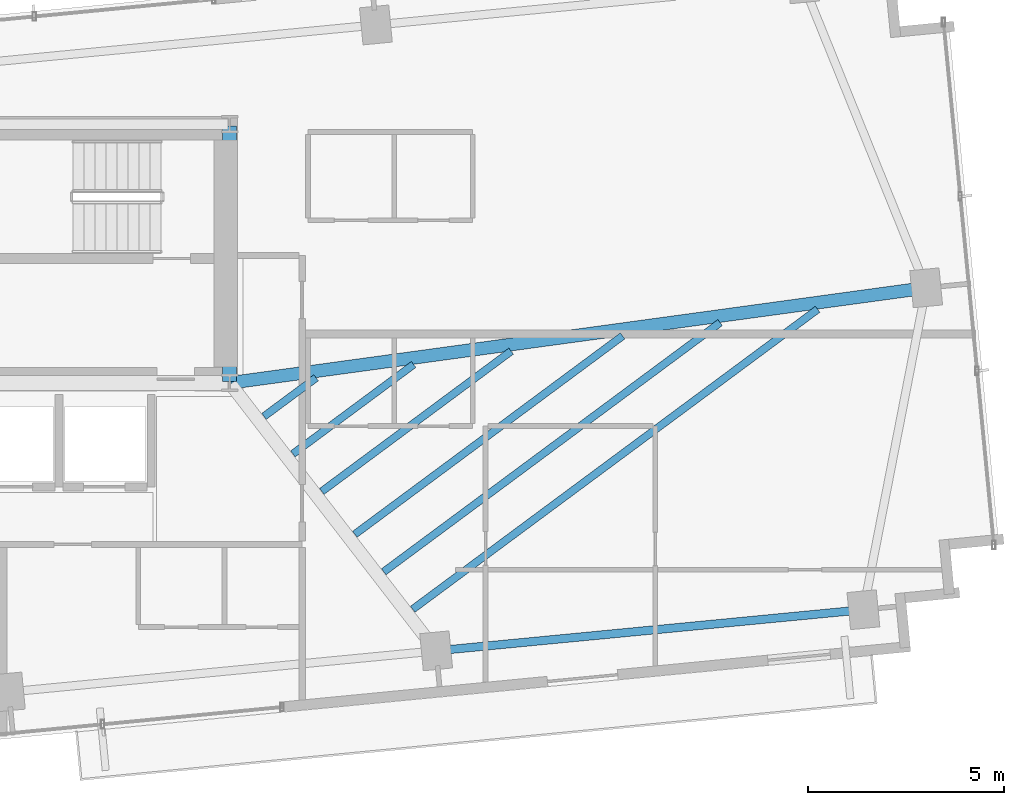
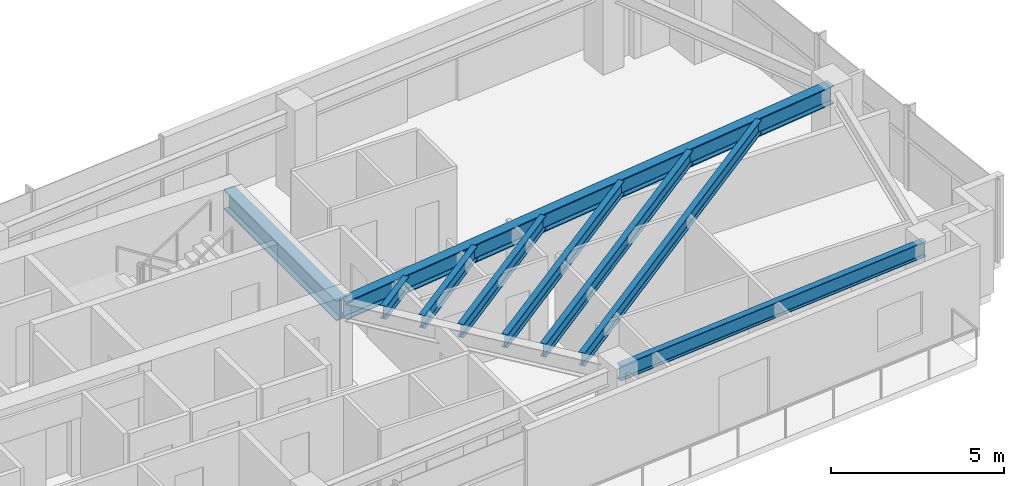
# One storey, part 9 of 18: 9 beams.
"""IFC4 building model written with IfcOpenShell, lengths in metres."""

import ifcopenshell
import ifcopenshell.guid

model = None  # the IFC model being written
_history = None  # IfcOwnerHistory: only IFC2X3 demands one
_inside = {}  # id of a spatial element -> (the spatial element, [elements in it])
_under = {}  # id of a project, library or spatial element -> (it, [spatial elements below it])
_declared = {}  # id of a project -> (the project, [libraries it declares])
_typed = {}  # id of a type object -> (the type object, [elements of that type])
_made_of = {}  # id of a material, layer set ... -> (it, [elements and type objects made of it])


def new_model(schema):
    """Start an empty IFC model of exactly this schema.

    Asked for "IFC4X3", IfcOpenShell would pick the latest addendum, in which some entities
    have other attributes; the version numbers below select the first issue.
    IFC2X3 requires an IfcOwnerHistory on every rooted entity: one is made here for all.
    """
    global model, _history
    if schema == "IFC4X3":
        model = ifcopenshell.file(schema_version=(4, 3, 0, 0))
    else:
        model = ifcopenshell.file(schema=schema)
    _inside.clear()
    _under.clear()
    _declared.clear()
    _typed.clear()
    _made_of.clear()
    _history = None
    if model.schema == "IFC2X3":
        org = make("IfcOrganization", Name="unknown")
        user = make(
            "IfcPersonAndOrganization",
            ThePerson=make("IfcPerson", FamilyName="unknown"),
            TheOrganization=org,
        )
        app = make(
            "IfcApplication",
            ApplicationDeveloper=org,
            Version="unknown",
            ApplicationFullName="unknown",
            ApplicationIdentifier="unknown",
        )
        _history = make(
            "IfcOwnerHistory",
            OwningUser=user,
            OwningApplication=app,
            ChangeAction="ADDED",
            CreationDate=0,
        )
    return model


def make(cls, **values):
    """One entity of the class cls with the attributes given. An attribute that is None is left unset."""
    return model.create_entity(
        cls, **{name: value for name, value in values.items() if value is not None}
    )


def rooted(cls, **values):
    """An entity with a GlobalId (a new one), such as an element, a storey or a relation."""
    return make(cls, GlobalId=ifcopenshell.guid.new(), OwnerHistory=_history, **values)


def si_unit(unit_type, name, prefix=None):
    """IfcSIUnit, for example si_unit("LENGTHUNIT", "METRE", prefix="MILLI")."""
    return make("IfcSIUnit", UnitType=unit_type, Prefix=prefix, Name=name)


def assignment(units):
    """IfcUnitAssignment: the units of a project."""
    return None if units is None else make("IfcUnitAssignment", Units=units)


def point(xyz):
    """IfcCartesianPoint."""
    return None if xyz is None else make("IfcCartesianPoint", Coordinates=xyz)


def direction(xyz):
    """IfcDirection."""
    return None if xyz is None else make("IfcDirection", DirectionRatios=xyz)


def frame(location, z_axis=None, x_axis=None):
    """IfcAxis2Placement3D, a coordinate frame: its origin and axes. An axis left out is left unset."""
    return make(
        "IfcAxis2Placement3D",
        Location=point(location),
        Axis=direction(z_axis),
        RefDirection=direction(x_axis),
    )


def frame_2d(location, x_axis=None):
    """IfcAxis2Placement2D, a coordinate frame in the plane: its origin and x axis."""
    return make(
        "IfcAxis2Placement2D", Location=point(location), RefDirection=direction(x_axis)
    )


def origin():
    """The frame at (0, 0, 0) with its axes left unset."""
    return frame((0.0, 0.0, 0.0))


def origin_2d():
    """The frame at (0, 0) in the plane with its x axis left unset."""
    return frame_2d((0.0, 0.0))


def place(relative_to, where):
    """IfcLocalPlacement: puts the frame where relative to a parent placement (None: the world)."""
    return make(
        "IfcLocalPlacement", PlacementRelTo=relative_to, RelativePlacement=where
    )


def context(
    kind, dimensions, precision=None, world=None, true_north=None, identifier=None
):
    """IfcGeometricRepresentationContext, for example the 3D "Model" context."""
    return make(
        "IfcGeometricRepresentationContext",
        ContextIdentifier=identifier,
        ContextType=kind,
        CoordinateSpaceDimension=dimensions,
        Precision=precision,
        WorldCoordinateSystem=world,
        TrueNorth=true_north,
    )


def subcontext(parent, identifier, kind, view, scale=None):
    """IfcGeometricRepresentationSubContext, for example "Body" below "Model"."""
    return make(
        "IfcGeometricRepresentationSubContext",
        ContextIdentifier=identifier,
        ContextType=kind,
        ParentContext=parent,
        TargetScale=scale,
        TargetView=view,
    )


def project(units=None, contexts=None):
    """IfcProject with its units and contexts."""
    return rooted(
        "IfcProject",
        Name="project",
        RepresentationContexts=contexts,
        UnitsInContext=assignment(units),
    )


def spatial(cls, under=None, at=None, **own):
    """A site, building, storey or space (cls), placed at a placement, below another one or the project."""
    s = rooted(cls, ObjectPlacement=at, **own)
    if under is not None:
        _under.setdefault(under.id(), (under, []))[1].append(s)
    return s


def profile(cls, at=None, kind="AREA", **sizes):
    """A parametric profile (cls). Its sizes go by their IFC names, for example OverallWidth=200.0."""
    return make(cls, ProfileType=kind, Position=at, **sizes)


def i_section(**sizes):
    """IfcIShapeProfileDef."""
    return profile("IfcIShapeProfileDef", **sizes)


def extrude(swept, where, along, depth):
    """IfcExtrudedAreaSolid: the profile swept, set in the frame where, extruded along a direction by depth."""
    return make(
        "IfcExtrudedAreaSolid",
        SweptArea=swept,
        Position=where,
        ExtrudedDirection=direction(along),
        Depth=depth,
    )


def shape(context_of_items, identifier, shape_type, items):
    """IfcShapeRepresentation: the items that make up one representation, for example the "Body"."""
    return make(
        "IfcShapeRepresentation",
        ContextOfItems=context_of_items,
        RepresentationIdentifier=identifier,
        RepresentationType=shape_type,
        Items=items,
    )


def source(mapping_origin, context_of_items, identifier, shape_type, items):
    """IfcRepresentationMap: a shape defined once, which mapped items show again and again."""
    return make(
        "IfcRepresentationMap",
        MappingOrigin=mapping_origin,
        MappedRepresentation=shape(context_of_items, identifier, shape_type, items),
    )


def transform(
    local_origin,
    x_axis=None,
    y_axis=None,
    z_axis=None,
    scale=None,
    scale2=None,
    scale3=None,
    uniform=True,
):
    """IfcCartesianTransformationOperator3D, or its non-uniform kind. x_axis, y_axis, z_axis: its Axis1, 2, 3."""
    if uniform:
        return make(
            "IfcCartesianTransformationOperator3D",
            Axis1=direction(x_axis),
            Axis2=direction(y_axis),
            LocalOrigin=point(local_origin),
            Scale=scale,
            Axis3=direction(z_axis),
        )
    return make(
        "IfcCartesianTransformationOperator3DnonUniform",
        Axis1=direction(x_axis),
        Axis2=direction(y_axis),
        LocalOrigin=point(local_origin),
        Scale=scale,
        Axis3=direction(z_axis),
        Scale2=scale2,
        Scale3=scale3,
    )


def mapped(mapping_source, mapping_target):
    """IfcMappedItem: shows the shape of a source again, moved by a transform."""
    return make(
        "IfcMappedItem", MappingSource=mapping_source, MappingTarget=mapping_target
    )


def material(Name=None, Category=None):
    """IfcMaterial."""
    return make("IfcMaterial", Name=Name, Category=Category)


def material_profile(
    of_material, cross_section, Name=None, Category=None, Priority=None
):
    """IfcMaterialProfile: a cross section and its material."""
    return make(
        "IfcMaterialProfile",
        Name=Name,
        Material=of_material,
        Profile=cross_section,
        Priority=Priority,
        Category=Category,
    )


def profile_set(profiles, Name=None, composite=None):
    """IfcMaterialProfileSet."""
    return make(
        "IfcMaterialProfileSet",
        Name=Name,
        MaterialProfiles=profiles,
        CompositeProfile=composite,
    )


def made_of(thing, what):
    """Note that an element or type object is made of a material, layer set ...; save() writes the relation."""
    if what is not None:
        _made_of.setdefault(what.id(), (what, []))[1].append(thing)
    return thing


def type_object(cls, material=None, **own):
    """A type object (cls), such as IfcWallType, which elements share."""
    return made_of(rooted(cls, **own), material)


def type_shapes(of_type, sources):
    """Give a type object the sources (RepresentationMaps) that its elements show as mapped items."""
    of_type.RepresentationMaps = sources


def element(
    cls,
    number,
    at=None,
    inside=None,
    cuts=None,
    type_object=None,
    material=None,
    context=None,
    identifier="Body",
    shape_type=None,
    held_by="IfcProductDefinitionShape",
    body=None,
    shapes=None,
    **own,
):
    """One element of the class cls, such as IfcWall. Its Tag is "e" and its number.

    at: its placement. inside: the storey or other place that contains it. cuts: it is an
    opening in that element (IfcRelVoidsElement). A single representation is given by context,
    identifier, shape_type and body (its items); several are given by shapes. held_by: the class
    of the entity that holds the representations. save() writes the other relations.
    """
    e = rooted(cls, Tag="e%d" % number, ObjectPlacement=at, **own)
    if body is not None:
        shapes = [shape(context, identifier, shape_type, body)]
    if shapes is not None:
        e.Representation = make(held_by, Representations=shapes)
    if inside is not None:
        _inside.setdefault(inside.id(), (inside, []))[1].append(e)
    if cuts is not None:
        rooted(
            "IfcRelVoidsElement", RelatingBuildingElement=cuts, RelatedOpeningElement=e
        )
    if type_object is not None:
        _typed.setdefault(type_object.id(), (type_object, []))[1].append(e)
    return made_of(e, material)


def aggregate(whole, parts):
    """IfcRelAggregates: a whole, such as a stair, and the parts it consists of."""
    return rooted("IfcRelAggregates", RelatingObject=whole, RelatedObjects=parts)


def save(model, path):
    """Write the relations noted so far, then the file.

    IfcRelAggregates (storeys below a building ...), IfcRelContainedInSpatialStructure (elements
    in a storey), IfcRelDefinesByType, IfcRelAssociatesMaterial and IfcRelDeclares: one each for
    every whole, place, type object, material and project.
    """
    for whole, parts in _under.values():
        aggregate(whole, parts)
    for where, things in _inside.values():
        rooted(
            "IfcRelContainedInSpatialStructure",
            RelatedElements=things,
            RelatingStructure=where,
        )
    for kind, things in _typed.values():
        rooted("IfcRelDefinesByType", RelatedObjects=things, RelatingType=kind)
    for what, things in _made_of.values():
        rooted("IfcRelAssociatesMaterial", RelatedObjects=things, RelatingMaterial=what)
    for by, libraries in _declared.values():
        rooted("IfcRelDeclares", RelatingContext=by, RelatedDefinitions=libraries)
    model.write(path)


model = new_model("IFC4")

# Units and contexts
model_context = context("Model", 3, precision=1e-05, world=origin(), true_north=direction((0.0, 1.0)))
body_context = subcontext(model_context, "Body", "Model", "MODEL_VIEW")
ifc_project = project(units=[si_unit("LENGTHUNIT", "METRE"), si_unit("AREAUNIT", "SQUARE_METRE"), si_unit("VOLUMEUNIT", "CUBIC_METRE"), si_unit("PLANEANGLEUNIT", "RADIAN"), si_unit("MASSUNIT", "GRAM", prefix="KILO")], contexts=[model_context])

# Site, building, storey
site_placement = place(None, origin())
site = spatial("IfcSite", under=ifc_project, at=site_placement, CompositionType="ELEMENT")
building_placement = place(site_placement, origin())
building = spatial("IfcBuilding", under=site, at=building_placement, Name="Astriad Promenade Condominiums", CompositionType="ELEMENT")
storey_placement = place(building_placement, frame((0.0, 0.0, 205.0)))
storey = spatial("IfcBuildingStorey", under=building, at=storey_placement, Name="L59", CompositionType="ELEMENT", Elevation=205.0)

# Beams
ifc_material = material(Name="Steel ASTM A992 Grade 50", Category="steel")
ifc_material_profile_1 = material_profile(ifc_material, i_section(OverallWidth=0.35791015625, OverallDepth=0.706298828125, WebThickness=0.018310546875, FlangeThickness=0.0302734375, FilletRadius=0.020263671875, at=origin_2d()), Name="W27X178")
ifc_profile_set_1 = profile_set([ifc_material_profile_1], Name="Steel ASTM A992 Grade 50")
beam_type_1 = type_object("IfcBeamType", Name="STEEL FLOOR GIRDER W27X178", PredefinedType="BEAM", material=ifc_profile_set_1)
shared_shape_1 = source(origin(), body_context, "Body", "SweptSolid", [
    extrude(i_section(OverallWidth=0.35791015625, OverallDepth=0.706298828125, WebThickness=0.018310546875, FlangeThickness=0.0302734375, FilletRadius=0.020263671875, at=origin_2d()), origin(), (0.0, 0.0, 1.0), 6.52001953125),
])
type_shapes(beam_type_1, [shared_shape_1])
beam_1_placement = place(storey_placement, frame((45.60009765625, 17.43994140625, 2.5869140625), z_axis=(0.0, 1.0, 0.0), x_axis=(-1.0, 0.0, 0.0)))
element("IfcBeam", 1, at=beam_1_placement, inside=storey, type_object=beam_type_1, Name="Core Ring Beam CG-E1-L59", PredefinedType="BEAM", context=body_context, shape_type="MappedRepresentation", body=[
    mapped(shared_shape_1, transform((0.0, 0.0, 0.0), scale=1.0)),
])
ifc_material_profile_2 = material_profile(ifc_material, i_section(OverallWidth=0.210693359375, OverallDepth=0.53955078125, WebThickness=0.01171875, FlangeThickness=0.018798828125, FilletRadius=0.0166015625, at=origin_2d()), Name="W21X73")
ifc_profile_set_2 = profile_set([ifc_material_profile_2], Name="Steel ASTM A992 Grade 50")
beam_type_2 = type_object("IfcBeamType", Name="STEEL SPANDREL BEAM W21X73", PredefinedType="SPANDREL", material=ifc_profile_set_2)
shared_shape_2 = source(origin(), body_context, "Body", "SweptSolid", [
    extrude(i_section(OverallWidth=0.210693359375, OverallDepth=0.53955078125, WebThickness=0.01171875, FlangeThickness=0.018798828125, FilletRadius=0.0166015625, at=origin_2d()), origin(), (0.0, 0.0, 1.0), 10.869873046875),
])
type_shapes(beam_type_2, [shared_shape_2])
beam_2_placement = place(storey_placement, frame((50.908203125, 10.5703125, 2.67041015625), z_axis=(0.995396922692, 0.095838229819, 0.0), x_axis=(-0.095838229819, 0.995396922692, 0.0)))
element("IfcBeam", 2, at=beam_2_placement, inside=storey, type_object=beam_type_2, Name="Perimeter Spandrel Beam SP-S4-L59", PredefinedType="SPANDREL", context=body_context, shape_type="MappedRepresentation", body=[
    mapped(shared_shape_2, transform((0.0, 0.0, 0.0), scale=1.0)),
])
ifc_material_profile_3 = material_profile(ifc_material, i_section(OverallWidth=0.327392578125, OverallDepth=0.640625, WebThickness=0.01904296875, FlangeThickness=0.033935546875, FilletRadius=0.017822265625, at=origin_2d()), Name="W24X176")
ifc_profile_set_3 = profile_set([ifc_material_profile_3], Name="Steel ASTM A992 Grade 50")
beam_type_3 = type_object("IfcBeamType", Name="STEEL FLOOR GIRDER W24X176", PredefinedType="BEAM", material=ifc_profile_set_3)
shared_shape_3 = source(origin(), body_context, "Body", "SweptSolid", [
    extrude(i_section(OverallWidth=0.327392578125, OverallDepth=0.640625, WebThickness=0.01904296875, FlangeThickness=0.033935546875, FilletRadius=0.017822265625, at=origin_2d()), origin(), (0.0, 0.0, 1.0), 17.853271484375),
])
type_shapes(beam_type_3, [shared_shape_3])
beam_3_placement = place(storey_placement, frame((63.32861328125, 19.82177734375, 2.61962890625), z_axis=(-0.990799186345, -0.135340209612, 0.0), x_axis=(0.135340209612, -0.990799186345, 0.0)))
element("IfcBeam", 3, at=beam_3_placement, inside=storey, type_object=beam_type_3, Name="Primary Floor Girder PG-EM-L59", PredefinedType="BEAM", context=body_context, shape_type="MappedRepresentation", body=[
    mapped(shared_shape_3, transform((0.0, 0.0, 0.0), scale=1.0)),
])
ifc_material_profile_4 = material_profile(ifc_material, i_section(OverallWidth=0.19287109375, OverallDepth=0.466064453125, WebThickness=0.011474609375, FlangeThickness=0.01904296875, FilletRadius=0.01513671875, at=origin_2d()), Name="W18X65")
ifc_profile_set_4 = profile_set([ifc_material_profile_4], Name="Steel ASTM A992 Grade 50")
beam_type_4 = type_object("IfcBeamType", Name="STEEL FLOOR JOIST W18X65", PredefinedType="JOIST", material=ifc_profile_set_4)
shared_shape_4 = source(origin(), body_context, "Body", "SweptSolid", [
    extrude(i_section(OverallWidth=0.19287109375, OverallDepth=0.466064453125, WebThickness=0.011474609375, FlangeThickness=0.01904296875, FilletRadius=0.01513671875, at=origin_2d()), origin(), (0.0, 0.0, 1.0), 12.85498046875),
])
beam_4_placement = place(storey_placement, frame((50.27001953125, 11.626220703125, 2.70703125), z_axis=(0.803505042716, 0.595297947526, 0.0), x_axis=(-0.595297947526, 0.803505042716, 0.0)))
element("IfcBeam", 4, at=beam_4_placement, inside=storey, type_object=beam_type_4, Name="Secondary Composite Floor Joist JE1-1-L59", PredefinedType="JOIST", context=body_context, shape_type="MappedRepresentation", body=[
    mapped(shared_shape_4, transform((0.0, 0.0, 0.0), scale=1.0)),
])
shared_shape_5 = source(origin(), body_context, "Body", "SweptSolid", [
    extrude(i_section(OverallWidth=0.19287109375, OverallDepth=0.466064453125, WebThickness=0.011474609375, FlangeThickness=0.01904296875, FilletRadius=0.01513671875, at=origin_2d()), origin(), (0.0, 0.0, 1.0), 10.677001953125),
])
beam_5_placement = place(storey_placement, frame((49.532470703125, 12.5830078125, 2.70703125), z_axis=(0.803509393025, 0.595292075641, 0.0), x_axis=(-0.595292075641, 0.803509393025, 0.0)))
element("IfcBeam", 5, at=beam_5_placement, inside=storey, type_object=beam_type_4, Name="Secondary Composite Floor Joist JE1-2-L59", PredefinedType="JOIST", context=body_context, shape_type="MappedRepresentation", body=[
    mapped(shared_shape_5, transform((0.0, 0.0, 0.0), scale=1.0)),
])
shared_shape_6 = source(origin(), body_context, "Body", "SweptSolid", [
    extrude(i_section(OverallWidth=0.19287109375, OverallDepth=0.466064453125, WebThickness=0.011474609375, FlangeThickness=0.01904296875, FilletRadius=0.01513671875, at=origin_2d()), origin(), (0.0, 0.0, 1.0), 8.4990234375),
])
beam_6_placement = place(storey_placement, frame((48.794921875, 13.539794921875, 2.70703125), z_axis=(0.803515972929, 0.595283194159, 0.0), x_axis=(-0.595283194159, 0.803515972929, 0.0)))
element("IfcBeam", 6, at=beam_6_placement, inside=storey, type_object=beam_type_4, Name="Secondary Composite Floor Joist JE1-3-L59", PredefinedType="JOIST", context=body_context, shape_type="MappedRepresentation", body=[
    mapped(shared_shape_6, transform((0.0, 0.0, 0.0), scale=1.0)),
])
shared_shape_7 = source(origin(), body_context, "Body", "SweptSolid", [
    extrude(i_section(OverallWidth=0.19287109375, OverallDepth=0.466064453125, WebThickness=0.011474609375, FlangeThickness=0.01904296875, FilletRadius=0.01513671875, at=origin_2d()), origin(), (0.0, 0.0, 1.0), 6.01025390625),
])
beam_7_placement = place(storey_placement, frame((47.951904296875, 14.633056640625, 2.70703125), z_axis=(0.803510418138, 0.595290691968, 0.0), x_axis=(-0.595290691968, 0.803510418138, 0.0)))
element("IfcBeam", 7, at=beam_7_placement, inside=storey, type_object=beam_type_4, Name="Secondary Composite Floor Joist JE1-4-L59", PredefinedType="JOIST", context=body_context, shape_type="MappedRepresentation", body=[
    mapped(shared_shape_7, transform((0.0, 0.0, 0.0), scale=1.0)),
])
shared_shape_8 = source(origin(), body_context, "Body", "SweptSolid", [
    extrude(i_section(OverallWidth=0.19287109375, OverallDepth=0.466064453125, WebThickness=0.011474609375, FlangeThickness=0.01904296875, FilletRadius=0.01513671875, at=origin_2d()), origin(), (0.0, 0.0, 1.0), 3.832275390625),
])
beam_8_placement = place(storey_placement, frame((47.21435546875, 15.58984375, 2.70703125), z_axis=(0.803525593062, 0.59527020864, 0.0), x_axis=(-0.59527020864, 0.803525593062, 0.0)))
element("IfcBeam", 8, at=beam_8_placement, inside=storey, type_object=beam_type_4, Name="Secondary Composite Floor Joist JE1-5-L59", PredefinedType="JOIST", context=body_context, shape_type="MappedRepresentation", body=[
    mapped(shared_shape_8, transform((0.0, 0.0, 0.0), scale=1.0)),
])
shared_shape_9 = source(origin(), body_context, "Body", "SweptSolid", [
    extrude(i_section(OverallWidth=0.19287109375, OverallDepth=0.466064453125, WebThickness=0.011474609375, FlangeThickness=0.01904296875, FilletRadius=0.01513671875, at=origin_2d()), origin(), (0.0, 0.0, 1.0), 1.654541015625),
])
type_shapes(beam_type_4, [shared_shape_4, shared_shape_5, shared_shape_6, shared_shape_7, shared_shape_8, shared_shape_9])
beam_9_placement = place(storey_placement, frame((46.476806640625, 16.54638671875, 2.70703125), z_axis=(0.803510136239, 0.595291072468, 0.0), x_axis=(-0.595291072468, 0.803510136239, 0.0)))
element("IfcBeam", 9, at=beam_9_placement, inside=storey, type_object=beam_type_4, Name="Secondary Composite Floor Joist JE1-6-L59", PredefinedType="JOIST", context=body_context, shape_type="MappedRepresentation", body=[
    mapped(shared_shape_9, transform((0.0, 0.0, 0.0), scale=1.0)),
])

save(model, "model.ifc")
